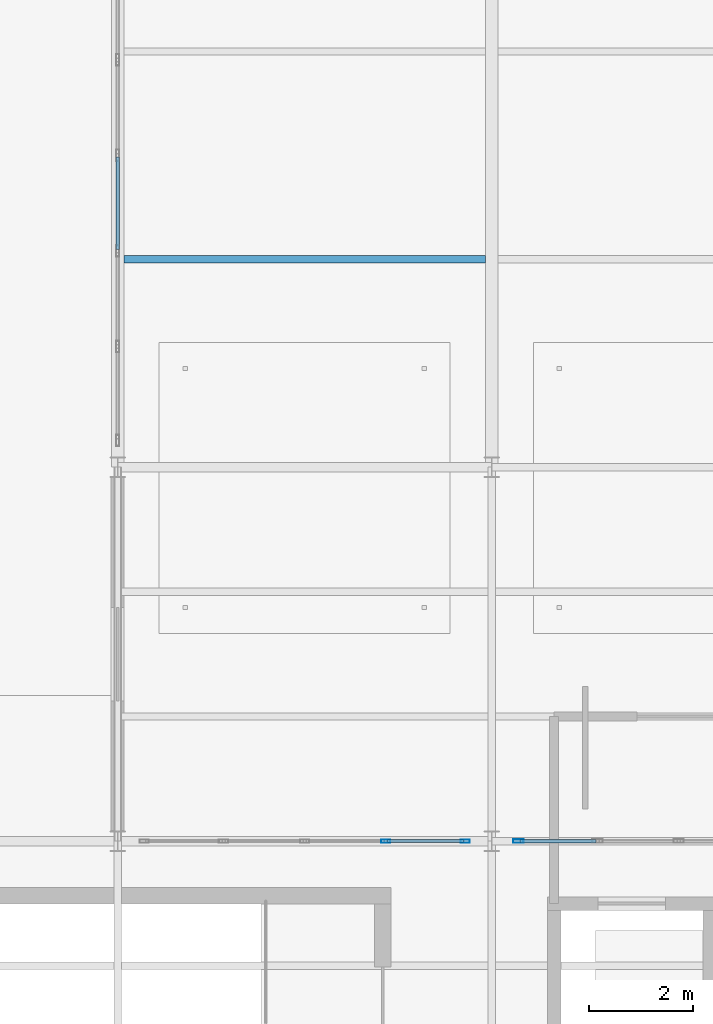
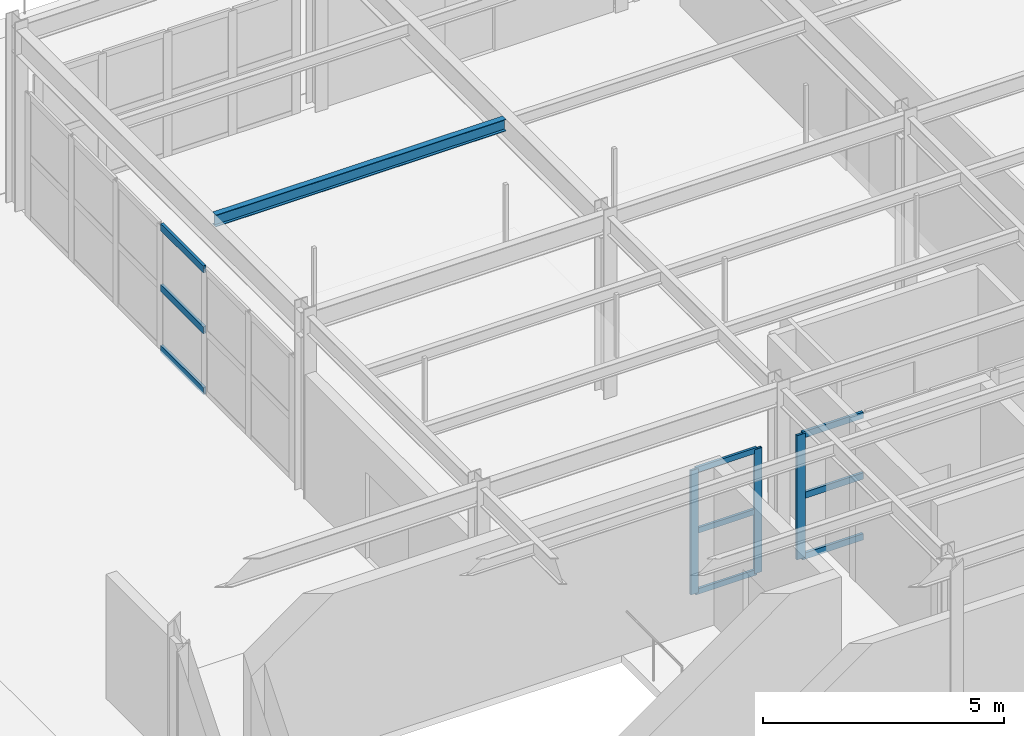
# One storey, part 13 of 41: 12 members, 1 beam, 3 elements without a shape of their own.
"""IFC4 building model written with IfcOpenShell, lengths in metres."""

from ifc_helpers import new_model, si_unit, direction, frame, origin, origin_2d, place, context, subcontext, project, spatial, hollow_rectangle, i_section, extrude, material, layer, layer_set, material_profile, profile_set, type_object, element, aggregate, save


model = new_model("IFC4")

# Units and contexts
model_context = context("Model", 3, precision=1e-05, world=origin(), true_north=direction((0.0, 1.0)))
body_context = subcontext(model_context, "Body", "Model", "MODEL_VIEW")
ifc_project = project(units=[si_unit("LENGTHUNIT", "METRE"), si_unit("AREAUNIT", "SQUARE_METRE"), si_unit("VOLUMEUNIT", "CUBIC_METRE"), si_unit("PLANEANGLEUNIT", "RADIAN"), si_unit("MASSUNIT", "GRAM", prefix="KILO")], contexts=[model_context])

# Site, building, storey
site_placement = place(None, origin())
site = spatial("IfcSite", under=ifc_project, at=site_placement, CompositionType="ELEMENT")
building_placement = place(site_placement, origin())
building = spatial("IfcBuilding", under=site, at=building_placement, Name="Solvadek Multi-Sports Hall", CompositionType="ELEMENT")
storey_placement = place(building_placement, frame((0.0, 0.0, 14.39990234375)))
storey = spatial("IfcBuildingStorey", under=building, at=storey_placement, Name="L03", CompositionType="ELEMENT", Elevation=14.39990234375)

# Curtain wall, members
ifc_material_1 = material(Name="Anodised aluminium", Category="aluminium")
ifc_layer_1 = layer(ifc_material_1, 0.159912109375, Name="Anodised aluminium")
ifc_layer_set_1 = layer_set([ifc_layer_1], Name="Anodised aluminium")
curtain_wall_type_1 = type_object("IfcCurtainWallType", Name="ENV-CW-624X315", PredefinedType="USERDEFINED", material=ifc_layer_set_1)
curtain_wall_1_placement = place(storey_placement, origin())
curtain_wall_1 = element("IfcCurtainWall", 1, at=curtain_wall_1_placement, inside=storey, type_object=curtain_wall_type_1, Name="L03 Perimeter Bay Curtain Wall #203", ObjectType="CURTAIN WALL", PredefinedType="USERDEFINED")
ifc_material_profile_1 = material_profile(ifc_material_1, hollow_rectangle(XDim=0.06005859375, YDim=0.179931640625, WallThickness=0.00390625, at=origin_2d()), Name="ALU-M 180x60x4")
ifc_profile_set_1 = profile_set([ifc_material_profile_1], Name="Anodised aluminium")
member_type_1 = type_object("IfcMemberType", Name="ENV-CWM-02", PredefinedType="MULLION", material=ifc_profile_set_1)
member_1_placement = place(storey_placement, frame((19.56005859375, 85.199951171875, 0.0), z_axis=(0.0, 0.0, 1.0), x_axis=(0.0, 1.0, 0.0)))
member_1 = element("IfcMember", 2, at=member_1_placement, type_object=member_type_1, Name="CW-44 mullion 4", PredefinedType="MULLION", context=body_context, shape_type="SweptSolid", body=[
    extrude(hollow_rectangle(XDim=0.06005859375, YDim=0.179931640625, WallThickness=0.00390625, at=origin_2d()), origin(), (0.0, 0.0, 1.0), 3.150146484375),
])
member_2_placement = place(storey_placement, frame((21.090087890625, 85.199951171875, 0.0), z_axis=(0.0, 0.0, 1.0), x_axis=(0.0, 1.0, 0.0)))
member_2 = element("IfcMember", 3, at=member_2_placement, type_object=member_type_1, Name="CW-44 mullion 5", PredefinedType="MULLION", context=body_context, shape_type="SweptSolid", body=[
    extrude(hollow_rectangle(XDim=0.06005859375, YDim=0.179931640625, WallThickness=0.00390625, at=origin_2d()), origin(), (0.0, 0.0, 1.0), 3.150146484375),
])

# Curtain wall, member
curtain_wall_2_placement = place(storey_placement, origin())
curtain_wall_2 = element("IfcCurtainWall", 4, at=curtain_wall_2_placement, inside=storey, type_object=curtain_wall_type_1, Name="L03 Perimeter Bay Curtain Wall #205", ObjectType="CURTAIN WALL", PredefinedType="USERDEFINED")
ifc_material_profile_2 = material_profile(ifc_material_1, hollow_rectangle(XDim=0.06494140625, YDim=0.199951171875, WallThickness=0.0048828125, at=origin_2d()), Name="ALU-M 200x65x5")
ifc_profile_set_2 = profile_set([ifc_material_profile_2], Name="Anodised aluminium")
member_type_2 = type_object("IfcMemberType", Name="ENV-CWM-03", PredefinedType="MULLION", material=ifc_profile_set_2)
member_3_placement = place(storey_placement, frame((22.112548828125, 85.199951171875, 0.0), z_axis=(0.0, 0.0, 1.0), x_axis=(0.0, 1.0, 0.0)))
member_3 = element("IfcMember", 5, at=member_3_placement, type_object=member_type_2, Name="CW-44 mullion 1", PredefinedType="MULLION", context=body_context, shape_type="SweptSolid", body=[
    extrude(hollow_rectangle(XDim=0.06494140625, YDim=0.199951171875, WallThickness=0.0048828125, at=origin_2d()), origin(), (0.0, 0.0, 1.0), 3.150146484375),
])

# Member
ifc_material_profile_3 = material_profile(ifc_material_1, hollow_rectangle(XDim=0.06005859375, YDim=0.139892578125, WallThickness=0.00390625, at=origin_2d()), Name="ALU-T 140x60x4")
ifc_profile_set_3 = profile_set([ifc_material_profile_3], Name="Anodised aluminium")
member_type_3 = type_object("IfcMemberType", Name="ENV-CWT-02", PredefinedType="USERDEFINED", material=ifc_profile_set_3)
member_4_placement = place(storey_placement, frame((19.590087890625, 85.199951171875, 0.030029296875), z_axis=(1.0, 0.0, 0.0), x_axis=(0.0, 1.0, 0.0)))
member_4 = element("IfcMember", 6, at=member_4_placement, type_object=member_type_3, Name="CW-44 transom 4.1", ObjectType="TRANSOM", PredefinedType="USERDEFINED", context=body_context, shape_type="SweptSolid", body=[
    extrude(hollow_rectangle(XDim=0.06005859375, YDim=0.139892578125, WallThickness=0.00390625, at=origin_2d()), origin(), (0.0, 0.0, 1.0), 1.469970703125),
])

member_5_placement = place(storey_placement, frame((19.590087890625, 85.199951171875, 1.5751953125), z_axis=(1.0, 0.0, 0.0), x_axis=(0.0, 1.0, 0.0)))
member_5 = element("IfcMember", 7, at=member_5_placement, type_object=member_type_3, Name="CW-44 transom 4.2", ObjectType="TRANSOM", PredefinedType="USERDEFINED", context=body_context, shape_type="SweptSolid", body=[
    extrude(hollow_rectangle(XDim=0.06005859375, YDim=0.139892578125, WallThickness=0.00390625, at=origin_2d()), origin(), (0.0, 0.0, 1.0), 1.469970703125),
])

member_6_placement = place(storey_placement, frame((19.590087890625, 85.199951171875, 3.1201171875), z_axis=(1.0, 0.0, 0.0), x_axis=(0.0, 1.0, 0.0)))
member_6 = element("IfcMember", 8, at=member_6_placement, type_object=member_type_3, Name="CW-44 transom 4.3", ObjectType="TRANSOM", PredefinedType="USERDEFINED", context=body_context, shape_type="SweptSolid", body=[
    extrude(hollow_rectangle(XDim=0.06005859375, YDim=0.139892578125, WallThickness=0.00390625, at=origin_2d()), origin(), (0.0, 0.0, 1.0), 1.469970703125),
])

aggregate(curtain_wall_1, [member_1, member_2, member_4, member_5, member_6])

ifc_material_profile_4 = material_profile(ifc_material_1, hollow_rectangle(XDim=0.06494140625, YDim=0.159912109375, WallThickness=0.00390625, at=origin_2d()), Name="ALU-T 160x65x4")
ifc_profile_set_4 = profile_set([ifc_material_profile_4], Name="Anodised aluminium")
member_type_4 = type_object("IfcMemberType", Name="ENV-CWT-03", PredefinedType="USERDEFINED", material=ifc_profile_set_4)
member_7_placement = place(storey_placement, frame((22.14501953125, 85.199951171875, 0.03271484375), z_axis=(1.0, 0.0, 0.0), x_axis=(0.0, 1.0, 0.0)))
member_7 = element("IfcMember", 9, at=member_7_placement, type_object=member_type_4, Name="CW-44 transom 1.1", ObjectType="TRANSOM", PredefinedType="USERDEFINED", context=body_context, shape_type="SweptSolid", body=[
    extrude(hollow_rectangle(XDim=0.06494140625, YDim=0.159912109375, WallThickness=0.00390625, at=origin_2d()), origin(), (0.0, 0.0, 1.0), 1.46240234375),
])

member_8_placement = place(storey_placement, frame((22.14501953125, 85.199951171875, 1.5751953125), z_axis=(1.0, 0.0, 0.0), x_axis=(0.0, 1.0, 0.0)))
member_8 = element("IfcMember", 10, at=member_8_placement, type_object=member_type_4, Name="CW-44 transom 1.2", ObjectType="TRANSOM", PredefinedType="USERDEFINED", context=body_context, shape_type="SweptSolid", body=[
    extrude(hollow_rectangle(XDim=0.06494140625, YDim=0.159912109375, WallThickness=0.00390625, at=origin_2d()), origin(), (0.0, 0.0, 1.0), 1.46240234375),
])

member_9_placement = place(storey_placement, frame((22.14501953125, 85.199951171875, 3.11767578125), z_axis=(1.0, 0.0, 0.0), x_axis=(0.0, 1.0, 0.0)))
member_9 = element("IfcMember", 11, at=member_9_placement, type_object=member_type_4, Name="CW-44 transom 1.3", ObjectType="TRANSOM", PredefinedType="USERDEFINED", context=body_context, shape_type="SweptSolid", body=[
    extrude(hollow_rectangle(XDim=0.06494140625, YDim=0.159912109375, WallThickness=0.00390625, at=origin_2d()), origin(), (0.0, 0.0, 1.0), 1.46240234375),
])

aggregate(curtain_wall_2, [member_3, member_7, member_8, member_9])

# Curtain wall, members
ifc_layer_2 = layer(ifc_material_1, 0.159912109375, Name="Anodised aluminium")
ifc_layer_set_2 = layer_set([ifc_layer_2], Name="Anodised aluminium")
curtain_wall_type_2 = type_object("IfcCurtainWallType", Name="ENV-CW-1104X315", PredefinedType="USERDEFINED", material=ifc_layer_set_2)
curtain_wall_3_placement = place(storey_placement, origin())
curtain_wall_3 = element("IfcCurtainWall", 12, at=curtain_wall_3_placement, inside=storey, type_object=curtain_wall_type_2, Name="L03 Perimeter Bay Curtain Wall #209", ObjectType="CURTAIN WALL", PredefinedType="USERDEFINED")
ifc_material_profile_5 = material_profile(ifc_material_1, hollow_rectangle(XDim=0.06494140625, YDim=0.179931640625, WallThickness=0.0048828125, at=origin_2d()), Name="ALU-T 180x65x5")
ifc_profile_set_5 = profile_set([ifc_material_profile_5], Name="Anodised aluminium")
member_type_5 = type_object("IfcMemberType", Name="ENV-CWT-04", PredefinedType="USERDEFINED", material=ifc_profile_set_5)
member_10_placement = place(storey_placement, frame((14.39990234375, 96.592529296875, 0.03271484375), z_axis=(0.0, 1.0, 0.0), x_axis=(-1.0, 0.0, 0.0)))
member_10 = element("IfcMember", 13, at=member_10_placement, type_object=member_type_5, Name="CW-58 transom 3.1", ObjectType="TRANSOM", PredefinedType="USERDEFINED", context=body_context, shape_type="SweptSolid", body=[
    extrude(hollow_rectangle(XDim=0.06494140625, YDim=0.179931640625, WallThickness=0.0048828125, at=origin_2d()), origin(), (0.0, 0.0, 1.0), 1.77490234375),
])
member_11_placement = place(storey_placement, frame((14.39990234375, 96.592529296875, 1.5751953125), z_axis=(0.0, 1.0, 0.0), x_axis=(-1.0, 0.0, 0.0)))
member_11 = element("IfcMember", 14, at=member_11_placement, type_object=member_type_5, Name="CW-58 transom 3.2", ObjectType="TRANSOM", PredefinedType="USERDEFINED", context=body_context, shape_type="SweptSolid", body=[
    extrude(hollow_rectangle(XDim=0.06494140625, YDim=0.179931640625, WallThickness=0.0048828125, at=origin_2d()), origin(), (0.0, 0.0, 1.0), 1.77490234375),
])
member_12_placement = place(storey_placement, frame((14.39990234375, 96.592529296875, 3.11767578125), z_axis=(0.0, 1.0, 0.0), x_axis=(-1.0, 0.0, 0.0)))
member_12 = element("IfcMember", 15, at=member_12_placement, type_object=member_type_5, Name="CW-58 transom 3.3", ObjectType="TRANSOM", PredefinedType="USERDEFINED", context=body_context, shape_type="SweptSolid", body=[
    extrude(hollow_rectangle(XDim=0.06494140625, YDim=0.179931640625, WallThickness=0.0048828125, at=origin_2d()), origin(), (0.0, 0.0, 1.0), 1.77490234375),
])
aggregate(curtain_wall_3, [member_10, member_11, member_12])

# Beam
ifc_material_2 = material(Name="Steel E350 (350 MPa)", Category="steel")
ifc_material_profile_6 = material_profile(ifc_material_2, i_section(OverallWidth=0.139892578125, OverallDepth=0.300048828125, WebThickness=0.0078125, FlangeThickness=0.01318359375, at=origin_2d()), Name="ISMB 300")
ifc_profile_set_6 = profile_set([ifc_material_profile_6], Name="Steel E350 (350 MPa)")
beam_type = type_object("IfcBeamType", Name="STR-JST-ISMB300", PredefinedType="JOIST", material=ifc_profile_set_6)
beam_placement = place(storey_placement, frame((14.52001953125, 96.39990234375, 4.4501953125), z_axis=(1.0, 0.0, 0.0), x_axis=(0.0, 1.0, 0.0)))
element("IfcBeam", 16, at=beam_placement, inside=storey, type_object=beam_type, Name="L03 Composite Joist J-03 #934", PredefinedType="JOIST", context=body_context, shape_type="SweptSolid", body=[
    extrude(i_section(OverallWidth=0.139892578125, OverallDepth=0.300048828125, WebThickness=0.0078125, FlangeThickness=0.01318359375, at=origin_2d()), origin(), (0.0, 0.0, 1.0), 6.9599609375),
])

save(model, "model.ifc")
